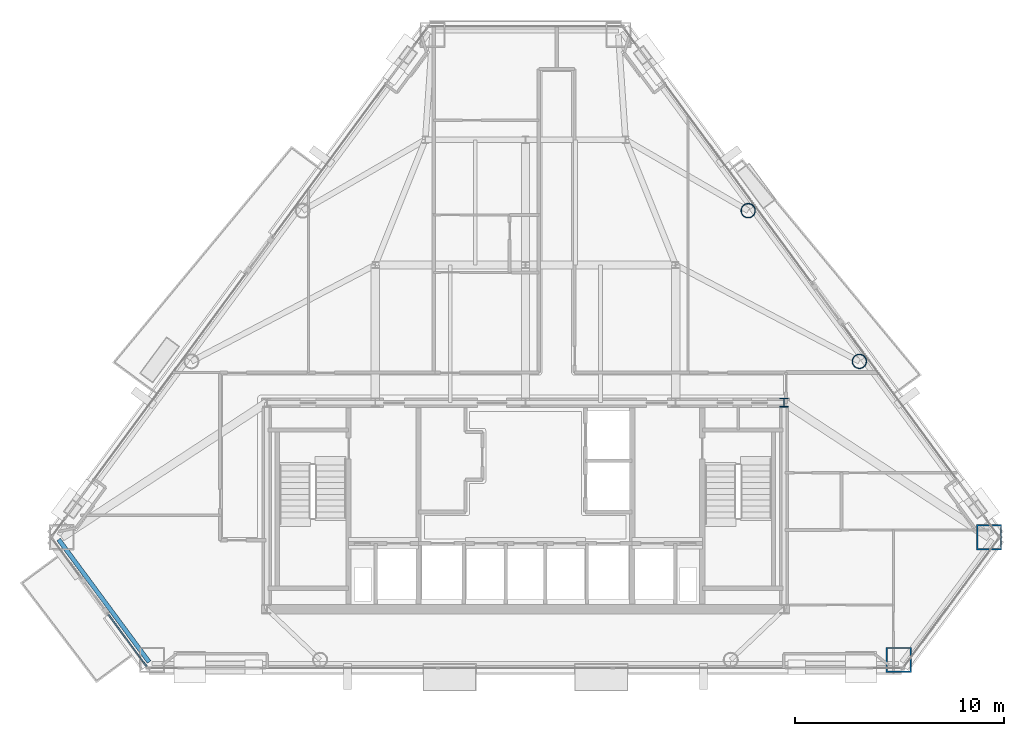
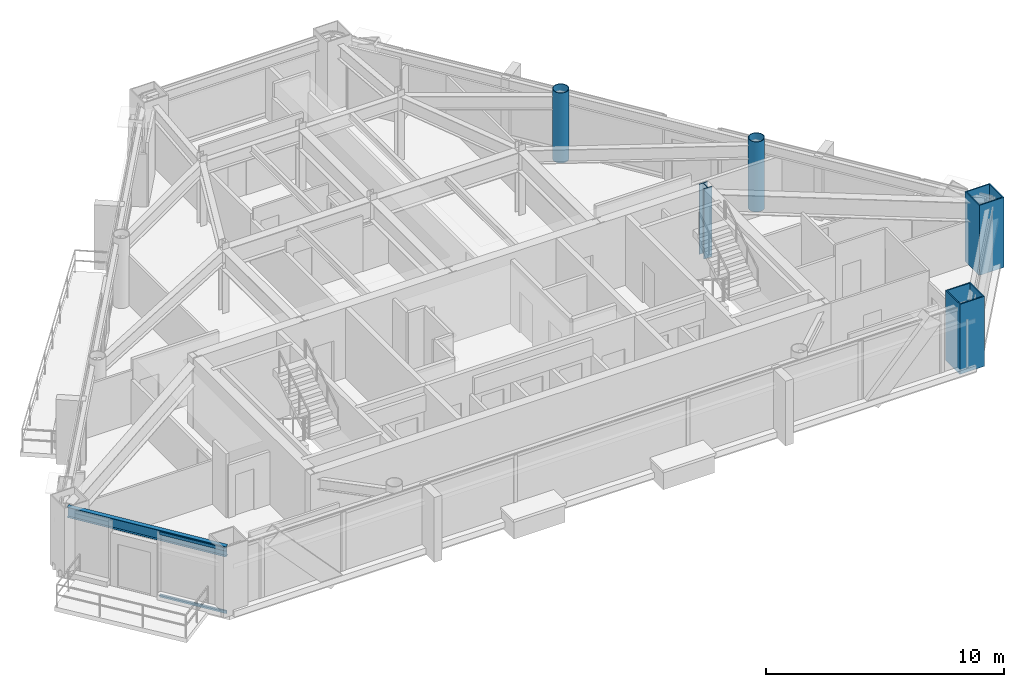
# One storey, part 2 of 12: 5 columns, 2 members, 1 beam, 1 element without a shape of its own.
"""IFC4 building model written with IfcOpenShell, lengths in metres."""

from ifc_helpers import new_model, si_unit, direction, frame, origin, origin_2d, place, context, subcontext, project, spatial, rectangle, hollow_rectangle, hollow_circle, i_section, extrude, material, layer, layer_set, material_profile, profile_set, type_object, element, aggregate, save


model = new_model("IFC4")

# Units and contexts
model_context = context("Model", 3, precision=1e-05, world=origin(), true_north=direction((0.0, 1.0)))
body_context = subcontext(model_context, "Body", "Model", "MODEL_VIEW")
ifc_project = project(units=[si_unit("LENGTHUNIT", "METRE"), si_unit("AREAUNIT", "SQUARE_METRE"), si_unit("VOLUMEUNIT", "CUBIC_METRE"), si_unit("PLANEANGLEUNIT", "RADIAN"), si_unit("MASSUNIT", "GRAM", prefix="KILO")], contexts=[model_context])

# Site, building, storey
site_placement = place(None, origin())
site = spatial("IfcSite", under=ifc_project, at=site_placement, CompositionType="ELEMENT")
building_placement = place(site_placement, origin())
building = spatial("IfcBuilding", under=site, at=building_placement, Name="Talgorran Terracotta Tower", CompositionType="ELEMENT")
storey_placement = place(building_placement, frame((0.0, 0.0, 165.300048828125)))
storey = spatial("IfcBuildingStorey", under=building, at=storey_placement, Name="L43", CompositionType="ELEMENT", Elevation=165.300048828125)

# Columns
ifc_material_1 = material(Name="Steel S355 (300PLUS)", Category="steel")
ifc_material_profile_1 = material_profile(ifc_material_1, i_section(OverallWidth=0.39990234375, OverallDepth=0.43994140625, WebThickness=0.028076171875, FlangeThickness=0.0400390625, at=origin_2d()), Name="400WC328")
ifc_profile_set_1 = profile_set([ifc_material_profile_1], Name="Steel S355 (300PLUS)")
column_type_1 = type_object("IfcColumnType", Name="COL_400WC328", PredefinedType="COLUMN", material=ifc_profile_set_1)
column_placement = place(storey_placement, frame((12.39990234375, -4.199951171875, 0.0), z_axis=(0.0, 0.0, 1.0), x_axis=(1.0, 0.0, 0.0)))
element("IfcColumn", 1, at=column_placement, inside=storey, type_object=column_type_1, Name="L43 Core Boundary Column CC3", PredefinedType="COLUMN", context=body_context, shape_type="SweptSolid", body=[
    extrude(i_section(OverallWidth=0.39990234375, OverallDepth=0.43994140625, WebThickness=0.028076171875, FlangeThickness=0.0400390625, at=origin_2d()), origin(), (0.0, 0.0, 1.0), 3.599853515625),
])
ifc_material_2 = material(Name="Steel Grade 350 (350L0)", Category="steel")
ifc_material_profile_2 = material_profile(ifc_material_2, hollow_rectangle(XDim=1.199951171875, YDim=1.199951171875, WallThickness=0.054931640625, at=origin_2d()), Name="CFT1200X1200X55")
ifc_profile_set_2 = profile_set([ifc_material_profile_2], Name="Steel Grade 350 (350L0)")
column_type_2 = type_object("IfcColumnType", Name="COL_CFT_1200", PredefinedType="COLUMN", material=ifc_profile_set_2)
for number, where, z_axis, x_axis, name in (
    (2, (17.898193359375, -16.530029296875, 0.0), (0.0, 0.0, 1.0), (1.0, 0.0, 0.0), "L43 Corner CFT Mega-Column MC3"),
    (3, (22.234130859375, -10.654541015625, 0.0), (0.0, 0.0, 1.0), (1.0, 0.0, 0.0), "L43 Corner CFT Mega-Column MC4"),
):
    element("IfcColumn", number, at=place(storey_placement, frame(where, z_axis=z_axis, x_axis=x_axis)), inside=storey, type_object=column_type_2, Name=name, PredefinedType="COLUMN", context=body_context, shape_type="SweptSolid", body=[
        extrude(hollow_rectangle(XDim=1.199951171875, YDim=1.199951171875, WallThickness=0.054931640625, at=origin_2d()), origin(), (0.0, 0.0, 1.0), 3.599853515625),
    ])
ifc_material_profile_3 = material_profile(ifc_material_2, hollow_circle(Radius=0.35009765625, WallThickness=0.030029296875, at=origin_2d()), Name="CHS700X30")
ifc_profile_set_3 = profile_set([ifc_material_profile_3], Name="Steel Grade 350 (350L0)")
column_type_3 = type_object("IfcColumnType", Name="COL_CHS_700", PredefinedType="COLUMN", material=ifc_profile_set_3)
for number, where, z_axis, x_axis, name in (
    (4, (16.01220703125, -2.223388671875, 0.0), (0.0, 0.0, 1.0), (1.0, 0.0, 0.0), "L43 Facet Perimeter Column FC3"),
    (5, (10.67919921875, 5.00341796875, 0.0), (0.0, 0.0, 1.0), (1.0, 0.0, 0.0), "L43 Facet Perimeter Column FC4"),
):
    element("IfcColumn", number, at=place(storey_placement, frame(where, z_axis=z_axis, x_axis=x_axis)), inside=storey, type_object=column_type_3, Name=name, PredefinedType="COLUMN", context=body_context, shape_type="SweptSolid", body=[
        extrude(hollow_circle(Radius=0.35009765625, WallThickness=0.030029296875, at=origin_2d()), origin(), (0.0, 0.0, 1.0), 3.599853515625),
    ])

# Beam
ifc_material_profile_4 = material_profile(ifc_material_1, i_section(OverallWidth=0.209228515625, OverallDepth=0.532958984375, WebThickness=0.01025390625, FlangeThickness=0.015625, at=origin_2d()), Name="530UB92.4")
ifc_profile_set_4 = profile_set([ifc_material_profile_4], Name="Steel S355 (300PLUS)")
beam_type = type_object("IfcBeamType", Name="BM_SP_530UB92", PredefinedType="SPANDREL", material=ifc_profile_set_4)
beam_placement = place(storey_placement, frame((-22.37890625, -10.761474609375, 3.013427734375), z_axis=(0.593765719161, -0.804637974961, 0.0), x_axis=(0.804637974961, 0.593765719161, 0.0)))
element("IfcBeam", 6, at=beam_placement, inside=storey, type_object=beam_type, Name="L43 Perimeter Spandrel Beam MC1-MC2", PredefinedType="SPANDREL", context=body_context, shape_type="SweptSolid", body=[
    extrude(i_section(OverallWidth=0.209228515625, OverallDepth=0.532958984375, WebThickness=0.01025390625, FlangeThickness=0.015625, at=origin_2d()), origin(), (0.0, 0.0, 1.0), 7.302001953125),
])

# Curtain wall, members
ifc_material_3 = material(Name="Unitised Low-E Double Glazing", Category="glass")
ifc_layer = layer(ifc_material_3, 0.199951171875, Name="CW_SYS2_RES_LOW")
ifc_layer_set = layer_set([ifc_layer], Name="Unitised Low-E Double Glazing")
curtain_wall_type = type_object("IfcCurtainWallType", Name="CW_SYS2_RES_LOW", PredefinedType="NOTDEFINED", material=ifc_layer_set)
curtain_wall_placement = place(storey_placement, origin())
curtain_wall = element("IfcCurtainWall", 7, at=curtain_wall_placement, inside=storey, type_object=curtain_wall_type, Name="CW-L43-F11", PredefinedType="NOTDEFINED")
ifc_material_4 = material(Name="Architectural Aluminium 6063-T6", Category="aluminium")
ifc_material_profile_5 = material_profile(ifc_material_4, rectangle(XDim=0.06494140625, YDim=0.14990234375, at=origin_2d()), Name="CWT65X150")
ifc_profile_set_5 = profile_set([ifc_material_profile_5], Name="Architectural Aluminium 6063-T6")
member_type = type_object("IfcMemberType", Name="TRN_65X150", PredefinedType="USERDEFINED", material=ifc_profile_set_5)
member_1_placement = place(storey_placement, frame((-19.98828125, -14.37158203125, 0.032470703125), z_axis=(0.593794773641, -0.804616534007, 0.0), x_axis=(0.804616534007, 0.593794773641, 0.0)))
member_1 = element("IfcMember", 8, at=member_1_placement, type_object=member_type, Name="CW-L43-11 transom 1.1", ObjectType="TRANSOM", PredefinedType="USERDEFINED", context=body_context, shape_type="SweptSolid", body=[
    extrude(rectangle(XDim=0.06494140625, YDim=0.14990234375, at=origin_2d()), origin(), (0.0, 0.0, 1.0), 3.07470703125),
])
member_2_placement = place(storey_placement, frame((-19.98828125, -14.37158203125, 3.24755859375), z_axis=(0.593794773641, -0.804616534007, 0.0), x_axis=(0.804616534007, 0.593794773641, 0.0)))
member_2 = element("IfcMember", 9, at=member_2_placement, type_object=member_type, Name="CW-L43-11 transom 1.2", ObjectType="TRANSOM", PredefinedType="USERDEFINED", context=body_context, shape_type="SweptSolid", body=[
    extrude(rectangle(XDim=0.06494140625, YDim=0.14990234375, at=origin_2d()), origin(), (0.0, 0.0, 1.0), 3.07470703125),
])
aggregate(curtain_wall, [member_1, member_2])

save(model, "model.ifc")
